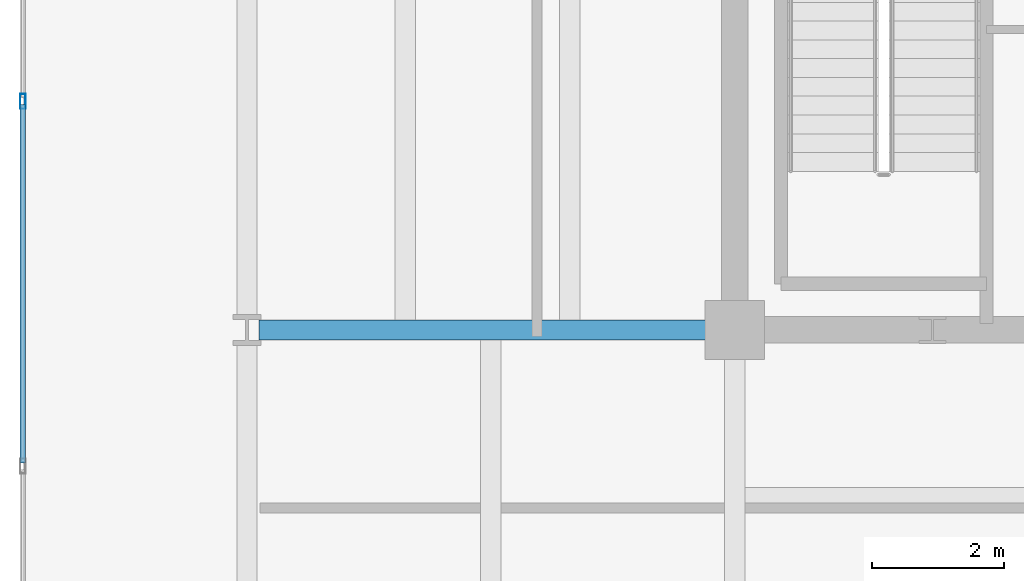
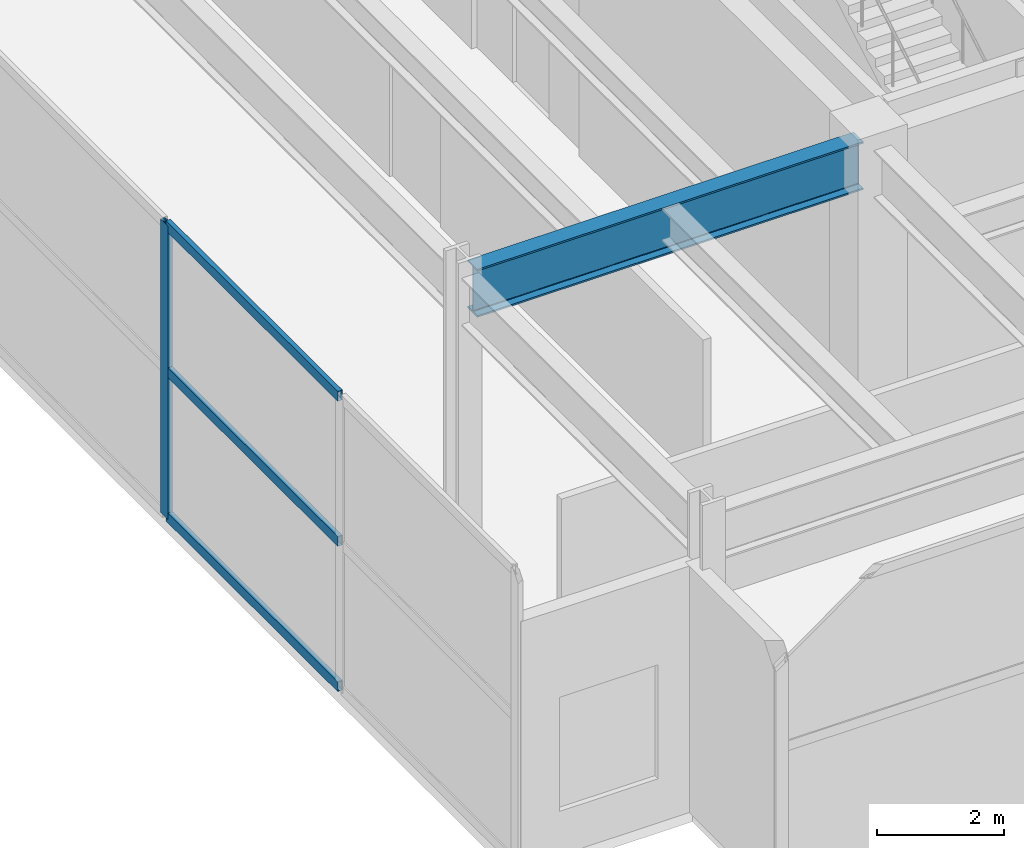
# One storey, part 3 of 21: 4 members, 1 beam, 1 element without a shape of its own.
"""IFC4 building model written with IfcOpenShell, lengths in metres."""

from ifc_helpers import new_model, si_unit, direction, frame, origin, origin_2d, place, context, subcontext, project, spatial, hollow_rectangle, i_section, extrude, material, material_profile, profile_set, type_object, element, aggregate, save


model = new_model("IFC4")

# Units and contexts
model_context = context("Model", 3, precision=1e-05, world=origin(), true_north=direction((0.0, 1.0)))
body_context = subcontext(model_context, "Body", "Model", "MODEL_VIEW")
ifc_project = project(units=[si_unit("LENGTHUNIT", "METRE"), si_unit("AREAUNIT", "SQUARE_METRE"), si_unit("VOLUMEUNIT", "CUBIC_METRE"), si_unit("PLANEANGLEUNIT", "RADIAN"), si_unit("MASSUNIT", "GRAM", prefix="KILO")], contexts=[model_context])

# Site, building, storey
site_placement = place(None, origin())
site = spatial("IfcSite", under=ifc_project, at=site_placement, CompositionType="ELEMENT")
building_placement = place(site_placement, origin())
building = spatial("IfcBuilding", under=site, at=building_placement, Name="Kovane Verandah Tower", CompositionType="ELEMENT")
storey_placement = place(building_placement, frame((0.0, 0.0, 342.800048828125)))
storey = spatial("IfcBuildingStorey", under=building, at=storey_placement, Name="L80", CompositionType="ELEMENT", Elevation=342.800048828125)

# Beam
ifc_material_1 = material(Name="Steel S460", Category="steel")
ifc_material_profile_1 = material_profile(ifc_material_1, i_section(OverallWidth=0.3076171875, OverallDepth=0.926513671875, WebThickness=0.01953125, FlangeThickness=0.031982421875, FilletRadius=0.01904296875, at=origin_2d()), Name="UB914x305x289")
ifc_profile_set_1 = profile_set([ifc_material_profile_1], Name="Steel S460")
beam_type = type_object("IfcBeamType", Name="BM-UB914x289", PredefinedType="BEAM", material=ifc_profile_set_1)
beam_placement = place(storey_placement, frame((28.820068359375, 18.5, 5.236572265625), z_axis=(-1.0, 0.0, 0.0), x_axis=(0.0, -1.0, 0.0)))
element("IfcBeam", 1, at=beam_placement, inside=storey, type_object=beam_type, Name="L80 Primary Tower Girder G-W1", PredefinedType="BEAM", context=body_context, shape_type="SweptSolid", body=[
    extrude(i_section(OverallWidth=0.3076171875, OverallDepth=0.926513671875, WebThickness=0.01953125, FlangeThickness=0.031982421875, FilletRadius=0.01904296875, at=origin_2d()), origin(), (0.0, 0.0, 1.0), 7.0400390625),
])

# Curtain wall, members
ifc_material_2 = material(Name="Champagne Anodised Aluminium Frame with Low-E Clear Laminated Glass", Category="aluminium")
curtain_wall_type = type_object("IfcCurtainWallType", Name="CW-SYS-06-CROWN", PredefinedType="NOTDEFINED", material=ifc_material_2)
curtain_wall_placement = place(storey_placement, origin())
curtain_wall = element("IfcCurtainWall", 2, at=curtain_wall_placement, inside=storey, type_object=curtain_wall_type, Name="L80 W Unitised Curtain Wall", PredefinedType="NOTDEFINED")
ifc_material_3 = material(Name="Champagne Anodised Aluminium 6063-T6", Category="aluminium")
ifc_material_profile_2 = material_profile(ifc_material_3, hollow_rectangle(XDim=0.0849609375, YDim=0.22998046875, WallThickness=0.00390625, at=origin_2d()), Name="AL85x230x4")
ifc_profile_set_2 = profile_set([ifc_material_profile_2], Name="Champagne Anodised Aluminium 6063-T6")
member_type_1 = type_object("IfcMemberType", Name="CW-MUL-85x230", PredefinedType="MULLION", material=ifc_profile_set_2)
member_1_placement = place(storey_placement, frame((18.199951171875, 21.966796875, 0.02001953125), z_axis=(0.0, 0.0, 1.0), x_axis=(-1.0, 0.0, 0.0)))
member_1 = element("IfcMember", 3, at=member_1_placement, type_object=member_type_1, Name="L80 W Unitised Curtain Wall Mullion 5", PredefinedType="MULLION", context=body_context, shape_type="SweptSolid", body=[
    extrude(hollow_rectangle(XDim=0.0849609375, YDim=0.22998046875, WallThickness=0.00390625, at=origin_2d()), origin(), (0.0, 0.0, 1.0), 5.659912109375),
])
ifc_material_profile_3 = material_profile(ifc_material_3, hollow_rectangle(XDim=0.0849609375, YDim=0.18994140625, WallThickness=0.00390625, at=origin_2d()), Name="AL85x190x4")
ifc_profile_set_3 = profile_set([ifc_material_profile_3], Name="Champagne Anodised Aluminium 6063-T6")
member_type_2 = type_object("IfcMemberType", Name="CW-TRN-85x190", PredefinedType="USERDEFINED", material=ifc_profile_set_3)
member_2_placement = place(storey_placement, frame((18.199951171875, 21.916748046875, 0.050048828125), z_axis=(0.0, -1.0, 0.0), x_axis=(1.0, 0.0, 0.0)))
member_2 = element("IfcMember", 4, at=member_2_placement, type_object=member_type_2, Name="L80 W Unitised Curtain Wall Transom TB Bay 5", ObjectType="TRANSOM", PredefinedType="USERDEFINED", context=body_context, shape_type="SweptSolid", body=[
    extrude(hollow_rectangle(XDim=0.0849609375, YDim=0.18994140625, WallThickness=0.00390625, at=origin_2d()), origin(), (0.0, 0.0, 1.0), 5.433349609375),
])
member_3_placement = place(storey_placement, frame((18.199951171875, 21.916748046875, 2.849853515625), z_axis=(0.0, -1.0, 0.0), x_axis=(1.0, 0.0, 0.0)))
member_3 = element("IfcMember", 5, at=member_3_placement, type_object=member_type_2, Name="L80 W Unitised Curtain Wall Transom TM Bay 5", ObjectType="TRANSOM", PredefinedType="USERDEFINED", context=body_context, shape_type="SweptSolid", body=[
    extrude(hollow_rectangle(XDim=0.0849609375, YDim=0.18994140625, WallThickness=0.00390625, at=origin_2d()), origin(), (0.0, 0.0, 1.0), 5.433349609375),
])
member_4_placement = place(storey_placement, frame((18.199951171875, 21.916748046875, 5.64990234375), z_axis=(0.0, -1.0, 0.0), x_axis=(1.0, 0.0, 0.0)))
member_4 = element("IfcMember", 6, at=member_4_placement, type_object=member_type_2, Name="L80 W Unitised Curtain Wall Transom TT Bay 5", ObjectType="TRANSOM", PredefinedType="USERDEFINED", context=body_context, shape_type="SweptSolid", body=[
    extrude(hollow_rectangle(XDim=0.0849609375, YDim=0.18994140625, WallThickness=0.00390625, at=origin_2d()), origin(), (0.0, 0.0, 1.0), 5.433349609375),
])
aggregate(curtain_wall, [member_1, member_2, member_3, member_4])

save(model, "model.ifc")
